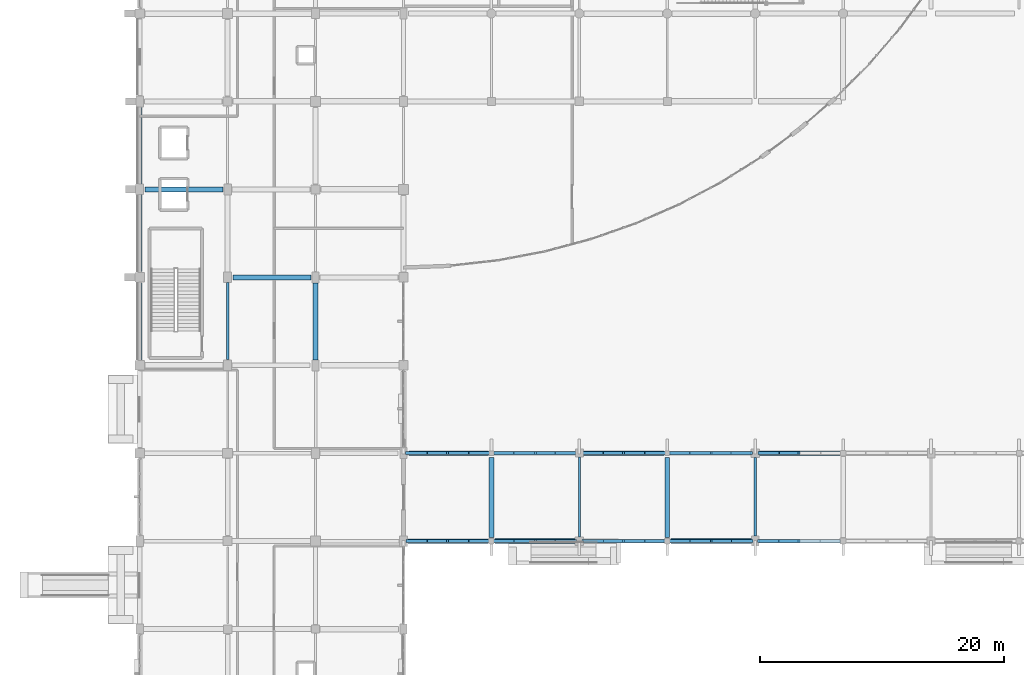
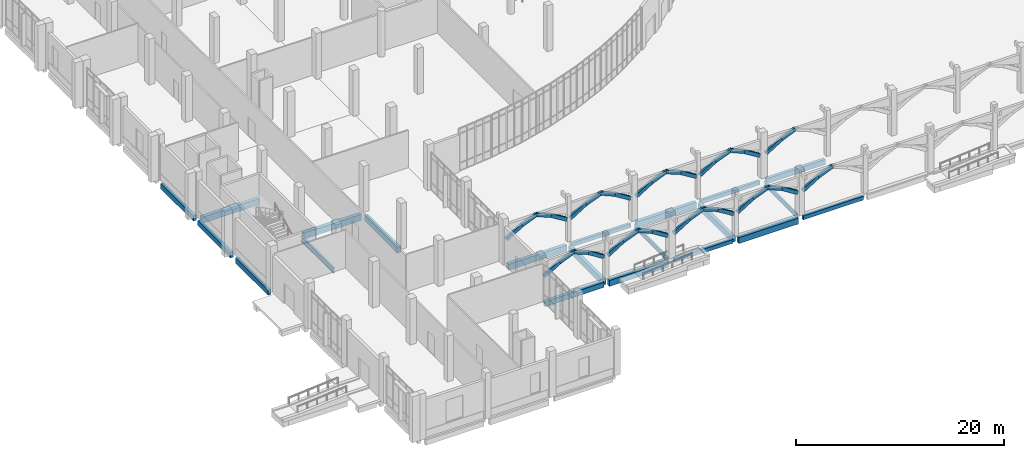
# One storey, part 18 of 110: 36 members, 21 beams.
"""IFC4 building model written with IfcOpenShell, lengths in metres."""

from ifc_helpers import new_model, si_unit, direction, frame, origin, origin_2d, place, context, subcontext, project, spatial, rectangle, i_section, extrude, material, material_profile, profile_set, type_object, element, save


model = new_model("IFC4")

# Units and contexts
model_context = context("Model", 3, precision=1e-05, world=origin(), true_north=direction((0.0, 1.0)))
body_context = subcontext(model_context, "Body", "Model", "MODEL_VIEW")
ifc_project = project(units=[si_unit("LENGTHUNIT", "METRE"), si_unit("AREAUNIT", "SQUARE_METRE"), si_unit("VOLUMEUNIT", "CUBIC_METRE"), si_unit("PLANEANGLEUNIT", "RADIAN"), si_unit("MASSUNIT", "GRAM", prefix="KILO")], contexts=[model_context])

# Site, building, storey
site_placement = place(None, origin())
site = spatial("IfcSite", under=ifc_project, at=site_placement, CompositionType="ELEMENT")
building_placement = place(site_placement, origin())
building = spatial("IfcBuilding", under=site, at=building_placement, Name="Kalluvel Institute of Natural Sciences", CompositionType="ELEMENT")
storey_placement = place(building_placement, origin())
storey = spatial("IfcBuildingStorey", under=building, at=storey_placement, Name="L00", CompositionType="ELEMENT", Elevation=0.0)

# Beams
ifc_material_1 = material(Name="Steel E350 Grade 350", Category="steel")
ifc_material_profile_1 = material_profile(ifc_material_1, i_section(OverallWidth=0.179931640625, OverallDepth=0.5, WebThickness=0.01025390625, FlangeThickness=0.01708984375, FilletRadius=0.01708984375, at=origin_2d()), Name="ISMB 500")
ifc_profile_set_1 = profile_set([ifc_material_profile_1], Name="Steel E350 Grade 350")
beam_type_1 = type_object("IfcBeamType", Name="BM-ISMB500", PredefinedType="BEAM", material=ifc_profile_set_1)
beam_1_placement = place(storey_placement, frame((50.0, 28.75, -0.570068359375), z_axis=(0.0, 1.0, 0.0), x_axis=(-1.0, 0.0, 0.0)))
element("IfcBeam", 1, at=beam_1_placement, inside=storey, type_object=beam_type_1, Name="L00 girder GIR-L00-NS-X500-Y284", PredefinedType="BEAM", context=body_context, shape_type="SweptSolid", body=[
    extrude(i_section(OverallWidth=0.179931640625, OverallDepth=0.5, WebThickness=0.01025390625, FlangeThickness=0.01708984375, FilletRadius=0.01708984375, at=origin_2d()), origin(), (0.0, 0.0, 1.0), 6.52490234375),
])
beam_2_placement = place(storey_placement, frame((64.39990234375, 28.800048828125, -0.570068359375), z_axis=(0.0, 1.0, 0.0), x_axis=(-1.0, 0.0, 0.0)))
element("IfcBeam", 2, at=beam_2_placement, inside=storey, type_object=beam_type_1, Name="L00 girder GIR-L00-NS-X644-Y284", PredefinedType="BEAM", context=body_context, shape_type="SweptSolid", body=[
    extrude(i_section(OverallWidth=0.179931640625, OverallDepth=0.5, WebThickness=0.01025390625, FlangeThickness=0.01708984375, FilletRadius=0.01708984375, at=origin_2d()), origin(), (0.0, 0.0, 1.0), 6.449951171875),
])
ifc_material_profile_2 = material_profile(ifc_material_1, i_section(OverallWidth=0.2099609375, OverallDepth=0.60009765625, WebThickness=0.011962890625, FlangeThickness=0.020751953125, FilletRadius=0.02001953125, at=origin_2d()), Name="ISMB 600")
ifc_profile_set_2 = profile_set([ifc_material_profile_2], Name="Steel E350 Grade 350")
beam_type_2 = type_object("IfcBeamType", Name="BM-ISMB600", PredefinedType="BEAM", material=ifc_profile_set_2)
beam_3_placement = place(storey_placement, frame((21.199951171875, 43.27490234375, -0.6201171875), z_axis=(0.0, 1.0, 0.0), x_axis=(-1.0, 0.0, 0.0)))
element("IfcBeam", 3, at=beam_3_placement, inside=storey, type_object=beam_type_2, Name="L00 girder GIR-L00-NS-X212-Y428", PredefinedType="BEAM", context=body_context, shape_type="SweptSolid", body=[
    extrude(i_section(OverallWidth=0.2099609375, OverallDepth=0.60009765625, WebThickness=0.011962890625, FlangeThickness=0.020751953125, FilletRadius=0.02001953125, at=origin_2d()), origin(), (0.0, 0.0, 1.0), 6.300048828125),
])
ifc_material_2 = material(Name="Concrete M40", Category="concrete")
ifc_material_profile_3 = material_profile(ifc_material_2, rectangle(XDim=0.39990234375, YDim=0.699951171875, at=origin_2d()), Name="RCB 400x700")
ifc_profile_set_3 = profile_set([ifc_material_profile_3], Name="Concrete M40")
beam_type_3 = type_object("IfcBeamType", Name="BM-RC400x700", PredefinedType="BEAM", material=ifc_profile_set_3)
beam_4_placement = place(storey_placement, frame((28.39990234375, 43.25, -0.669921875), z_axis=(0.0, 1.0, 0.0), x_axis=(-1.0, 0.0, 0.0)))
element("IfcBeam", 4, at=beam_4_placement, inside=storey, type_object=beam_type_3, Name="L00 girder GIR-L00-NS-X284-Y428", PredefinedType="BEAM", context=body_context, shape_type="SweptSolid", body=[
    extrude(rectangle(XDim=0.39990234375, YDim=0.699951171875, at=origin_2d()), origin(), (0.0, 0.0, 1.0), 6.27490234375),
])
for number, where, z_axis, x_axis, name in (
    (5, (42.800048828125, 28.699951171875, -0.669921875), (0.0, 1.0, 0.0), (-1.0, 0.0, 0.0), "L00 girder GIR-L00-NS-X428-Y284"),
    (6, (57.199951171875, 28.699951171875, -0.669921875), (0.0, 1.0, 0.0), (-1.0, 0.0, 0.0), "L00 girder GIR-L00-NS-X572-Y284"),
):
    element("IfcBeam", number, at=place(storey_placement, frame(where, z_axis=z_axis, x_axis=x_axis)), inside=storey, type_object=beam_type_3, Name=name, PredefinedType="BEAM", context=body_context, shape_type="SweptSolid", body=[
        extrude(rectangle(XDim=0.39990234375, YDim=0.699951171875, at=origin_2d()), origin(), (0.0, 0.0, 1.0), 6.550048828125),
    ])
ifc_material_profile_4 = material_profile(ifc_material_2, rectangle(XDim=0.419921875, YDim=0.719970703125, at=origin_2d()), Name="RCB 420x720")
ifc_profile_set_4 = profile_set([ifc_material_profile_4], Name="Concrete M40")
beam_type_4 = type_object("IfcBeamType", Name="BM-RC420x720", PredefinedType="BEAM", material=ifc_profile_set_4)
for number, where, z_axis, x_axis, name in (
    (7, (21.625, 50.0, -0.679931640625), (1.0, 0.0, 0.0), (0.0, 1.0, 0.0), "L00 girder GIR-L00-EW-X212-Y500"),
    (8, (14.425048828125, 57.199951171875, -0.679931640625), (1.0, 0.0, 0.0), (0.0, 1.0, 0.0), "L00 girder GIR-L00-EW-X140-Y572"),
):
    element("IfcBeam", number, at=place(storey_placement, frame(where, z_axis=z_axis, x_axis=x_axis)), inside=storey, type_object=beam_type_4, Name=name, PredefinedType="BEAM", context=body_context, shape_type="SweptSolid", body=[
        extrude(rectangle(XDim=0.419921875, YDim=0.719970703125, at=origin_2d()), origin(), (0.0, 0.0, 1.0), 6.39990234375),
    ])

# Members
ifc_material_3 = material(Name="Sadarahalli Granite Precast Concrete M45", Category="masonry")
ifc_material_profile_5 = material_profile(ifc_material_3, rectangle(XDim=0.25, YDim=0.39990234375, at=origin_2d()), Name="RCB 250x400")
ifc_profile_set_5 = profile_set([ifc_material_profile_5], Name="Sadarahalli Granite Precast Concrete M45")
member_type = type_object("IfcMemberType", Name="MB-CL-ARCH250", PredefinedType="USERDEFINED", material=ifc_profile_set_5)
member_1_placement = place(storey_placement, frame((35.885009765625, 35.60009765625, 2.60009765625), z_axis=(0.850993108665, 0.0, 0.525176854978), x_axis=(0.0, 1.0, 0.0)))
element("IfcMember", 9, at=member_1_placement, inside=storey, type_object=member_type, Name="Gothic cloister pointed-lancet arch segment 1", ObjectType="ARCH_SEGMENT", PredefinedType="USERDEFINED", context=body_context, shape_type="SweptSolid", body=[
    extrude(rectangle(XDim=0.25, YDim=0.39990234375, at=origin_2d()), origin(), (0.0, 0.0, 1.0), 2.05615234375),
])
member_2_placement = place(storey_placement, frame((37.634765625, 35.60009765625, 3.679931640625), z_axis=(0.921397131624, 0.0, 0.388622343458), x_axis=(0.0, 1.0, 0.0)))
element("IfcMember", 10, at=member_2_placement, inside=storey, type_object=member_type, Name="Gothic cloister pointed-lancet arch segment 2", ObjectType="ARCH_SEGMENT", PredefinedType="USERDEFINED", context=body_context, shape_type="SweptSolid", body=[
    extrude(rectangle(XDim=0.25, YDim=0.39990234375, at=origin_2d()), origin(), (0.0, 0.0, 1.0), 1.69873046875),
])
member_3_placement = place(storey_placement, frame((39.199951171875, 35.60009765625, 4.340087890625), z_axis=(0.929618962432, 0.0, -0.368522163087), x_axis=(0.0, 1.0, 0.0)))
element("IfcMember", 11, at=member_3_placement, inside=storey, type_object=member_type, Name="Gothic cloister pointed-lancet arch segment 3", ObjectType="ARCH_SEGMENT", PredefinedType="USERDEFINED", context=body_context, shape_type="SweptSolid", body=[
    extrude(rectangle(XDim=0.25, YDim=0.39990234375, at=origin_2d()), origin(), (0.0, 0.0, 1.0), 1.791259765625),
])
member_4_placement = place(storey_placement, frame((40.865234375, 35.60009765625, 3.679931640625), z_axis=(0.850993108665, 0.0, -0.525176854978), x_axis=(0.0, 1.0, 0.0)))
element("IfcMember", 12, at=member_4_placement, inside=storey, type_object=member_type, Name="Gothic cloister pointed-lancet arch segment 4", ObjectType="ARCH_SEGMENT", PredefinedType="USERDEFINED", context=body_context, shape_type="SweptSolid", body=[
    extrude(rectangle(XDim=0.25, YDim=0.39990234375, at=origin_2d()), origin(), (0.0, 0.0, 1.0), 2.05615234375),
])
member_5_placement = place(storey_placement, frame((35.909912109375, 28.39990234375, 2.60009765625), z_axis=(0.849243371065, 0.0, 0.528001606722), x_axis=(0.0, 1.0, 0.0)))
element("IfcMember", 13, at=member_5_placement, inside=storey, type_object=member_type, Name="Gothic cloister pointed-lancet arch segment 5", ObjectType="ARCH_SEGMENT", PredefinedType="USERDEFINED", context=body_context, shape_type="SweptSolid", body=[
    extrude(rectangle(XDim=0.25, YDim=0.39990234375, at=origin_2d()), origin(), (0.0, 0.0, 1.0), 2.045166015625),
])
member_6_placement = place(storey_placement, frame((37.646728515625, 28.39990234375, 3.679931640625), z_axis=(0.920323107127, 0.0, 0.391159019439), x_axis=(0.0, 1.0, 0.0)))
element("IfcMember", 14, at=member_6_placement, inside=storey, type_object=member_type, Name="Gothic cloister pointed-lancet arch segment 6", ObjectType="ARCH_SEGMENT", PredefinedType="USERDEFINED", context=body_context, shape_type="SweptSolid", body=[
    extrude(rectangle(XDim=0.25, YDim=0.39990234375, at=origin_2d()), origin(), (0.0, 0.0, 1.0), 1.687744140625),
])
member_7_placement = place(storey_placement, frame((39.199951171875, 28.39990234375, 4.340087890625), z_axis=(0.92870350572, 0.0, -0.370823136365), x_axis=(0.0, 1.0, 0.0)))
element("IfcMember", 15, at=member_7_placement, inside=storey, type_object=member_type, Name="Gothic cloister pointed-lancet arch segment 7", ObjectType="ARCH_SEGMENT", PredefinedType="USERDEFINED", context=body_context, shape_type="SweptSolid", body=[
    extrude(rectangle(XDim=0.25, YDim=0.39990234375, at=origin_2d()), origin(), (0.0, 0.0, 1.0), 1.7802734375),
])
member_8_placement = place(storey_placement, frame((40.853271484375, 28.39990234375, 3.679931640625), z_axis=(0.849243371065, 0.0, -0.528001606722), x_axis=(0.0, 1.0, 0.0)))
element("IfcMember", 16, at=member_8_placement, inside=storey, type_object=member_type, Name="Gothic cloister pointed-lancet arch segment 8", ObjectType="ARCH_SEGMENT", PredefinedType="USERDEFINED", context=body_context, shape_type="SweptSolid", body=[
    extrude(rectangle(XDim=0.25, YDim=0.39990234375, at=origin_2d()), origin(), (0.0, 0.0, 1.0), 2.045166015625),
])
member_9_placement = place(storey_placement, frame((42.985107421875, 35.60009765625, 2.60009765625), z_axis=(0.850105251618, 0.0, 0.526612819035), x_axis=(0.0, 1.0, 0.0)))
element("IfcMember", 17, at=member_9_placement, inside=storey, type_object=member_type, Name="Gothic cloister pointed-lancet arch segment 9", ObjectType="ARCH_SEGMENT", PredefinedType="USERDEFINED", context=body_context, shape_type="SweptSolid", body=[
    extrude(rectangle(XDim=0.25, YDim=0.39990234375, at=origin_2d()), origin(), (0.0, 0.0, 1.0), 2.050537109375),
])
member_10_placement = place(storey_placement, frame((44.728271484375, 35.60009765625, 3.679931640625), z_axis=(0.930097829902, 0.0, 0.3673118931), x_axis=(0.0, 1.0, 0.0)))
element("IfcMember", 18, at=member_10_placement, inside=storey, type_object=member_type, Name="Gothic cloister pointed-lancet arch segment 10", ObjectType="ARCH_SEGMENT", PredefinedType="USERDEFINED", context=body_context, shape_type="SweptSolid", body=[
    extrude(rectangle(XDim=0.25, YDim=0.39990234375, at=origin_2d()), origin(), (0.0, 0.0, 1.0), 1.79736328125),
])
member_11_placement = place(storey_placement, frame((46.39990234375, 35.60009765625, 4.340087890625), z_axis=(0.919744630598, 0.0, -0.39251727922), x_axis=(0.0, 1.0, 0.0)))
element("IfcMember", 19, at=member_11_placement, inside=storey, type_object=member_type, Name="Gothic cloister pointed-lancet arch segment 11", ObjectType="ARCH_SEGMENT", PredefinedType="USERDEFINED", context=body_context, shape_type="SweptSolid", body=[
    extrude(rectangle(XDim=0.25, YDim=0.39990234375, at=origin_2d()), origin(), (0.0, 0.0, 1.0), 1.681884765625),
])
member_12_placement = place(storey_placement, frame((47.94677734375, 35.60009765625, 3.679931640625), z_axis=(0.850105251618, 0.0, -0.526612819035), x_axis=(0.0, 1.0, 0.0)))
element("IfcMember", 20, at=member_12_placement, inside=storey, type_object=member_type, Name="Gothic cloister pointed-lancet arch segment 12", ObjectType="ARCH_SEGMENT", PredefinedType="USERDEFINED", context=body_context, shape_type="SweptSolid", body=[
    extrude(rectangle(XDim=0.25, YDim=0.39990234375, at=origin_2d()), origin(), (0.0, 0.0, 1.0), 2.050537109375),
])
member_13_placement = place(storey_placement, frame((43.010009765625, 28.39990234375, 2.60009765625), z_axis=(0.848341098121, 0.0, 0.52945007436), x_axis=(0.0, 1.0, 0.0)))
element("IfcMember", 21, at=member_13_placement, inside=storey, type_object=member_type, Name="Gothic cloister pointed-lancet arch segment 13", ObjectType="ARCH_SEGMENT", PredefinedType="USERDEFINED", context=body_context, shape_type="SweptSolid", body=[
    extrude(rectangle(XDim=0.25, YDim=0.39990234375, at=origin_2d()), origin(), (0.0, 0.0, 1.0), 2.03955078125),
])
member_14_placement = place(storey_placement, frame((44.740234375, 28.39990234375, 3.679931640625), z_axis=(0.929191386523, 0.0, 0.369598927502), x_axis=(0.0, 1.0, 0.0)))
element("IfcMember", 22, at=member_14_placement, inside=storey, type_object=member_type, Name="Gothic cloister pointed-lancet arch segment 14", ObjectType="ARCH_SEGMENT", PredefinedType="USERDEFINED", context=body_context, shape_type="SweptSolid", body=[
    extrude(rectangle(XDim=0.25, YDim=0.39990234375, at=origin_2d()), origin(), (0.0, 0.0, 1.0), 1.7861328125),
])
member_15_placement = place(storey_placement, frame((46.39990234375, 28.39990234375, 4.340087890625), z_axis=(0.918637899446, 0.0, -0.395100505822), x_axis=(0.0, 1.0, 0.0)))
element("IfcMember", 23, at=member_15_placement, inside=storey, type_object=member_type, Name="Gothic cloister pointed-lancet arch segment 15", ObjectType="ARCH_SEGMENT", PredefinedType="USERDEFINED", context=body_context, shape_type="SweptSolid", body=[
    extrude(rectangle(XDim=0.25, YDim=0.39990234375, at=origin_2d()), origin(), (0.0, 0.0, 1.0), 1.6708984375),
])
member_16_placement = place(storey_placement, frame((47.934814453125, 28.39990234375, 3.679931640625), z_axis=(0.848341098121, 0.0, -0.52945007436), x_axis=(0.0, 1.0, 0.0)))
element("IfcMember", 24, at=member_16_placement, inside=storey, type_object=member_type, Name="Gothic cloister pointed-lancet arch segment 16", ObjectType="ARCH_SEGMENT", PredefinedType="USERDEFINED", context=body_context, shape_type="SweptSolid", body=[
    extrude(rectangle(XDim=0.25, YDim=0.39990234375, at=origin_2d()), origin(), (0.0, 0.0, 1.0), 2.03955078125),
])
member_17_placement = place(storey_placement, frame((50.31005859375, 35.60009765625, 2.60009765625), z_axis=(0.850105251618, 0.0, 0.526612819035), x_axis=(0.0, 1.0, 0.0)))
element("IfcMember", 25, at=member_17_placement, inside=storey, type_object=member_type, Name="Gothic cloister pointed-lancet arch segment 17", ObjectType="ARCH_SEGMENT", PredefinedType="USERDEFINED", context=body_context, shape_type="SweptSolid", body=[
    extrude(rectangle(XDim=0.25, YDim=0.39990234375, at=origin_2d()), origin(), (0.0, 0.0, 1.0), 2.050537109375),
])
member_18_placement = place(storey_placement, frame((52.05322265625, 35.60009765625, 3.679931640625), z_axis=(0.919744630598, 0.0, 0.39251727922), x_axis=(0.0, 1.0, 0.0)))
element("IfcMember", 26, at=member_18_placement, inside=storey, type_object=member_type, Name="Gothic cloister pointed-lancet arch segment 18", ObjectType="ARCH_SEGMENT", PredefinedType="USERDEFINED", context=body_context, shape_type="SweptSolid", body=[
    extrude(rectangle(XDim=0.25, YDim=0.39990234375, at=origin_2d()), origin(), (0.0, 0.0, 1.0), 1.681884765625),
])
member_19_placement = place(storey_placement, frame((53.60009765625, 35.60009765625, 4.340087890625), z_axis=(0.930097829902, 0.0, -0.3673118931), x_axis=(0.0, 1.0, 0.0)))
element("IfcMember", 27, at=member_19_placement, inside=storey, type_object=member_type, Name="Gothic cloister pointed-lancet arch segment 19", ObjectType="ARCH_SEGMENT", PredefinedType="USERDEFINED", context=body_context, shape_type="SweptSolid", body=[
    extrude(rectangle(XDim=0.25, YDim=0.39990234375, at=origin_2d()), origin(), (0.0, 0.0, 1.0), 1.79736328125),
])
member_20_placement = place(storey_placement, frame((55.271728515625, 35.60009765625, 3.679931640625), z_axis=(0.850105251618, 0.0, -0.526612819035), x_axis=(0.0, 1.0, 0.0)))
element("IfcMember", 28, at=member_20_placement, inside=storey, type_object=member_type, Name="Gothic cloister pointed-lancet arch segment 20", ObjectType="ARCH_SEGMENT", PredefinedType="USERDEFINED", context=body_context, shape_type="SweptSolid", body=[
    extrude(rectangle(XDim=0.25, YDim=0.39990234375, at=origin_2d()), origin(), (0.0, 0.0, 1.0), 2.050537109375),
])
member_21_placement = place(storey_placement, frame((50.3349609375, 28.39990234375, 2.60009765625), z_axis=(0.848341098121, 0.0, 0.52945007436), x_axis=(0.0, 1.0, 0.0)))
element("IfcMember", 29, at=member_21_placement, inside=storey, type_object=member_type, Name="Gothic cloister pointed-lancet arch segment 21", ObjectType="ARCH_SEGMENT", PredefinedType="USERDEFINED", context=body_context, shape_type="SweptSolid", body=[
    extrude(rectangle(XDim=0.25, YDim=0.39990234375, at=origin_2d()), origin(), (0.0, 0.0, 1.0), 2.03955078125),
])
member_22_placement = place(storey_placement, frame((52.065185546875, 28.39990234375, 3.679931640625), z_axis=(0.918637899446, 0.0, 0.395100505822), x_axis=(0.0, 1.0, 0.0)))
element("IfcMember", 30, at=member_22_placement, inside=storey, type_object=member_type, Name="Gothic cloister pointed-lancet arch segment 22", ObjectType="ARCH_SEGMENT", PredefinedType="USERDEFINED", context=body_context, shape_type="SweptSolid", body=[
    extrude(rectangle(XDim=0.25, YDim=0.39990234375, at=origin_2d()), origin(), (0.0, 0.0, 1.0), 1.6708984375),
])
member_23_placement = place(storey_placement, frame((53.60009765625, 28.39990234375, 4.340087890625), z_axis=(0.929191386523, 0.0, -0.369598927502), x_axis=(0.0, 1.0, 0.0)))
element("IfcMember", 31, at=member_23_placement, inside=storey, type_object=member_type, Name="Gothic cloister pointed-lancet arch segment 23", ObjectType="ARCH_SEGMENT", PredefinedType="USERDEFINED", context=body_context, shape_type="SweptSolid", body=[
    extrude(rectangle(XDim=0.25, YDim=0.39990234375, at=origin_2d()), origin(), (0.0, 0.0, 1.0), 1.7861328125),
])
member_24_placement = place(storey_placement, frame((55.259765625, 28.39990234375, 3.679931640625), z_axis=(0.848341098121, 0.0, -0.52945007436), x_axis=(0.0, 1.0, 0.0)))
element("IfcMember", 32, at=member_24_placement, inside=storey, type_object=member_type, Name="Gothic cloister pointed-lancet arch segment 24", ObjectType="ARCH_SEGMENT", PredefinedType="USERDEFINED", context=body_context, shape_type="SweptSolid", body=[
    extrude(rectangle(XDim=0.25, YDim=0.39990234375, at=origin_2d()), origin(), (0.0, 0.0, 1.0), 2.03955078125),
])
member_25_placement = place(storey_placement, frame((57.385009765625, 35.60009765625, 2.60009765625), z_axis=(0.849243371065, 0.0, 0.528001606722), x_axis=(0.0, 1.0, 0.0)))
element("IfcMember", 33, at=member_25_placement, inside=storey, type_object=member_type, Name="Gothic cloister pointed-lancet arch segment 25", ObjectType="ARCH_SEGMENT", PredefinedType="USERDEFINED", context=body_context, shape_type="SweptSolid", body=[
    extrude(rectangle(XDim=0.25, YDim=0.39990234375, at=origin_2d()), origin(), (0.0, 0.0, 1.0), 2.045166015625),
])
member_26_placement = place(storey_placement, frame((59.121826171875, 35.60009765625, 3.679931640625), z_axis=(0.930590145733, 0.0, 0.366062809727), x_axis=(0.0, 1.0, 0.0)))
element("IfcMember", 34, at=member_26_placement, inside=storey, type_object=member_type, Name="Gothic cloister pointed-lancet arch segment 26", ObjectType="ARCH_SEGMENT", PredefinedType="USERDEFINED", context=body_context, shape_type="SweptSolid", body=[
    extrude(rectangle(XDim=0.25, YDim=0.39990234375, at=origin_2d()), origin(), (0.0, 0.0, 1.0), 1.803466796875),
])
member_27_placement = place(storey_placement, frame((60.800048828125, 35.60009765625, 4.340087890625), z_axis=(0.917995615168, 0.0, -0.39659053258), x_axis=(0.0, 1.0, 0.0)))
element("IfcMember", 35, at=member_27_placement, inside=storey, type_object=member_type, Name="Gothic cloister pointed-lancet arch segment 27", ObjectType="ARCH_SEGMENT", PredefinedType="USERDEFINED", context=body_context, shape_type="SweptSolid", body=[
    extrude(rectangle(XDim=0.25, YDim=0.39990234375, at=origin_2d()), origin(), (0.0, 0.0, 1.0), 1.66455078125),
])
member_28_placement = place(storey_placement, frame((62.328125, 35.60009765625, 3.679931640625), z_axis=(0.849243371065, 0.0, -0.528001606722), x_axis=(0.0, 1.0, 0.0)))
element("IfcMember", 36, at=member_28_placement, inside=storey, type_object=member_type, Name="Gothic cloister pointed-lancet arch segment 28", ObjectType="ARCH_SEGMENT", PredefinedType="USERDEFINED", context=body_context, shape_type="SweptSolid", body=[
    extrude(rectangle(XDim=0.25, YDim=0.39990234375, at=origin_2d()), origin(), (0.0, 0.0, 1.0), 2.045166015625),
])
member_29_placement = place(storey_placement, frame((57.409912109375, 28.39990234375, 2.60009765625), z_axis=(0.850138265106, 0.0, 0.526559521994), x_axis=(0.0, 1.0, 0.0)))
element("IfcMember", 37, at=member_29_placement, inside=storey, type_object=member_type, Name="Gothic cloister pointed-lancet arch segment 29", ObjectType="ARCH_SEGMENT", PredefinedType="USERDEFINED", context=body_context, shape_type="SweptSolid", body=[
    extrude(rectangle(XDim=0.25, YDim=0.39990234375, at=origin_2d()), origin(), (0.0, 0.0, 1.0), 2.05078125),
])
member_30_placement = place(storey_placement, frame((59.1533203125, 28.39990234375, 3.679931640625), z_axis=(0.928191703949, 0.0, 0.37210235248), x_axis=(0.0, 1.0, 0.0)))
element("IfcMember", 38, at=member_30_placement, inside=storey, type_object=member_type, Name="Gothic cloister pointed-lancet arch segment 30", ObjectType="ARCH_SEGMENT", PredefinedType="USERDEFINED", context=body_context, shape_type="SweptSolid", body=[
    extrude(rectangle(XDim=0.25, YDim=0.39990234375, at=origin_2d()), origin(), (0.0, 0.0, 1.0), 1.774169921875),
])
member_31_placement = place(storey_placement, frame((60.800048828125, 28.39990234375, 4.340087890625), z_axis=(0.921958581594, 0.0, -0.387288489146), x_axis=(0.0, 1.0, 0.0)))
element("IfcMember", 39, at=member_31_placement, inside=storey, type_object=member_type, Name="Gothic cloister pointed-lancet arch segment 31", ObjectType="ARCH_SEGMENT", PredefinedType="USERDEFINED", context=body_context, shape_type="SweptSolid", body=[
    extrude(rectangle(XDim=0.25, YDim=0.39990234375, at=origin_2d()), origin(), (0.0, 0.0, 1.0), 1.70458984375),
])
member_32_placement = place(storey_placement, frame((62.37158203125, 28.39990234375, 3.679931640625), z_axis=(0.850138265106, 0.0, -0.526559521994), x_axis=(0.0, 1.0, 0.0)))
element("IfcMember", 40, at=member_32_placement, inside=storey, type_object=member_type, Name="Gothic cloister pointed-lancet arch segment 32", ObjectType="ARCH_SEGMENT", PredefinedType="USERDEFINED", context=body_context, shape_type="SweptSolid", body=[
    extrude(rectangle(XDim=0.25, YDim=0.39990234375, at=origin_2d()), origin(), (0.0, 0.0, 1.0), 2.05078125),
])
member_33_placement = place(storey_placement, frame((64.735107421875, 35.60009765625, 2.60009765625), z_axis=(0.848341098121, 0.0, 0.52945007436), x_axis=(0.0, 1.0, 0.0)))
element("IfcMember", 41, at=member_33_placement, inside=storey, type_object=member_type, Name="Gothic cloister pointed-lancet arch segment 33", ObjectType="ARCH_SEGMENT", PredefinedType="USERDEFINED", context=body_context, shape_type="SweptSolid", body=[
    extrude(rectangle(XDim=0.25, YDim=0.39990234375, at=origin_2d()), origin(), (0.0, 0.0, 1.0), 2.03955078125),
])
member_34_placement = place(storey_placement, frame((66.46533203125, 35.60009765625, 3.679931640625), z_axis=(0.918615085337, 0.0, 0.395153546095), x_axis=(0.0, 1.0, 0.0)))
element("IfcMember", 42, at=member_34_placement, inside=storey, type_object=member_type, Name="Gothic cloister pointed-lancet arch segment 34", ObjectType="ARCH_SEGMENT", PredefinedType="USERDEFINED", context=body_context, shape_type="SweptSolid", body=[
    extrude(rectangle(XDim=0.25, YDim=0.39990234375, at=origin_2d()), origin(), (0.0, 0.0, 1.0), 1.670654296875),
])
member_35_placement = place(storey_placement, frame((64.68505859375, 28.39990234375, 2.60009765625), z_axis=(0.849243371065, 0.0, 0.528001606722), x_axis=(0.0, 1.0, 0.0)))
element("IfcMember", 43, at=member_35_placement, inside=storey, type_object=member_type, Name="Gothic cloister pointed-lancet arch segment 37", ObjectType="ARCH_SEGMENT", PredefinedType="USERDEFINED", context=body_context, shape_type="SweptSolid", body=[
    extrude(rectangle(XDim=0.25, YDim=0.39990234375, at=origin_2d()), origin(), (0.0, 0.0, 1.0), 2.045166015625),
])
member_36_placement = place(storey_placement, frame((66.421875, 28.39990234375, 3.679931640625), z_axis=(0.922535537412, 0.0, 0.385912143125), x_axis=(0.0, 1.0, 0.0)))
element("IfcMember", 44, at=member_36_placement, inside=storey, type_object=member_type, Name="Gothic cloister pointed-lancet arch segment 38", ObjectType="ARCH_SEGMENT", PredefinedType="USERDEFINED", context=body_context, shape_type="SweptSolid", body=[
    extrude(rectangle(XDim=0.25, YDim=0.39990234375, at=origin_2d()), origin(), (0.0, 0.0, 1.0), 1.710693359375),
])

# Beams
ifc_material_profile_6 = material_profile(ifc_material_2, rectangle(XDim=0.300048828125, YDim=0.449951171875, at=origin_2d()), Name="RCB 300x450")
ifc_profile_set_6 = profile_set([ifc_material_profile_6], Name="Concrete M40")
beam_type_5 = type_object("IfcBeamType", Name="SP-RC300x450", PredefinedType="SPANDREL", material=ifc_profile_set_6)
beam_5_placement = place(storey_placement, frame((50.35009765625, 28.39990234375, -0.544921875), z_axis=(1.0, 0.0, 0.0), x_axis=(0.0, 1.0, 0.0)))
element("IfcBeam", 45, at=beam_5_placement, inside=storey, type_object=beam_type_5, Name="L00 girder GIR-L00-EW-X500-Y284", PredefinedType="SPANDREL", context=body_context, shape_type="SweptSolid", body=[
    extrude(rectangle(XDim=0.300048828125, YDim=0.449951171875, at=origin_2d()), origin(), (0.0, 0.0, 1.0), 6.5498046875),
])
beam_6_placement = place(storey_placement, frame((64.699951171875, 28.39990234375, -0.544921875), z_axis=(1.0, 0.0, 0.0), x_axis=(0.0, 1.0, 0.0)))
element("IfcBeam", 46, at=beam_6_placement, inside=storey, type_object=beam_type_5, Name="L00 girder GIR-L00-EW-X644-Y284", PredefinedType="SPANDREL", context=body_context, shape_type="SweptSolid", body=[
    extrude(rectangle(XDim=0.300048828125, YDim=0.449951171875, at=origin_2d()), origin(), (0.0, 0.0, 1.0), 6.675048828125),
])
beam_7_placement = place(storey_placement, frame((43.050048828125, 35.60009765625, -0.544921875), z_axis=(1.0, 0.0, 0.0), x_axis=(0.0, 1.0, 0.0)))
element("IfcBeam", 47, at=beam_7_placement, inside=storey, type_object=beam_type_5, Name="L00 girder GIR-L00-EW-X428-Y356", PredefinedType="SPANDREL", context=body_context, shape_type="SweptSolid", body=[
    extrude(rectangle(XDim=0.300048828125, YDim=0.449951171875, at=origin_2d()), origin(), (0.0, 0.0, 1.0), 6.625),
])
beam_8_placement = place(storey_placement, frame((57.449951171875, 35.60009765625, -0.544921875), z_axis=(1.0, 0.0, 0.0), x_axis=(0.0, 1.0, 0.0)))
element("IfcBeam", 48, at=beam_8_placement, inside=storey, type_object=beam_type_5, Name="L00 girder GIR-L00-EW-X572-Y356", PredefinedType="SPANDREL", context=body_context, shape_type="SweptSolid", body=[
    extrude(rectangle(XDim=0.300048828125, YDim=0.449951171875, at=origin_2d()), origin(), (0.0, 0.0, 1.0), 6.60009765625),
])
ifc_material_profile_7 = material_profile(ifc_material_2, rectangle(XDim=0.35009765625, YDim=0.60009765625, at=origin_2d()), Name="RCB 350x600")
ifc_profile_set_7 = profile_set([ifc_material_profile_7], Name="Concrete M40")
beam_type_6 = type_object("IfcBeamType", Name="SP-RC350x600", PredefinedType="SPANDREL", material=ifc_profile_set_7)
beam_9_placement = place(storey_placement, frame((35.97509765625, 28.39990234375, -0.6201171875), z_axis=(1.0, 0.0, 0.0), x_axis=(0.0, 1.0, 0.0)))
element("IfcBeam", 49, at=beam_9_placement, inside=storey, type_object=beam_type_6, Name="L00 girder GIR-L00-EW-X356-Y284", PredefinedType="SPANDREL", context=body_context, shape_type="SweptSolid", body=[
    extrude(rectangle(XDim=0.35009765625, YDim=0.60009765625, at=origin_2d()), origin(), (0.0, 0.0, 1.0), 6.52490234375),
])
beam_10_placement = place(storey_placement, frame((64.75, 35.60009765625, -0.6201171875), z_axis=(1.0, 0.0, 0.0), x_axis=(0.0, 1.0, 0.0)))
element("IfcBeam", 50, at=beam_10_placement, inside=storey, type_object=beam_type_6, Name="L00 girder GIR-L00-EW-X644-Y356", PredefinedType="SPANDREL", context=body_context, shape_type="SweptSolid", body=[
    extrude(rectangle(XDim=0.35009765625, YDim=0.60009765625, at=origin_2d()), origin(), (0.0, 0.0, 1.0), 6.574951171875),
])
for number, where, z_axis, x_axis, name in (
    (51, (14.0, 43.22509765625, -0.6201171875), (0.0, 1.0, 0.0), (-1.0, 0.0, 0.0), "L00 girder GIR-L00-NS-X140-Y428"),
    (52, (14.0, 50.47509765625, -0.6201171875), (0.0, 1.0, 0.0), (-1.0, 0.0, 0.0), "L00 girder GIR-L00-NS-X140-Y500"),
):
    element("IfcBeam", number, at=place(storey_placement, frame(where, z_axis=z_axis, x_axis=x_axis)), inside=storey, type_object=beam_type_6, Name=name, PredefinedType="SPANDREL", context=body_context, shape_type="SweptSolid", body=[
        extrude(rectangle(XDim=0.35009765625, YDim=0.60009765625, at=origin_2d()), origin(), (0.0, 0.0, 1.0), 6.2998046875),
    ])
beam_11_placement = place(storey_placement, frame((14.0, 57.625, -0.6201171875), z_axis=(0.0, 1.0, 0.0), x_axis=(-1.0, 0.0, 0.0)))
element("IfcBeam", 53, at=beam_11_placement, inside=storey, type_object=beam_type_6, Name="L00 girder GIR-L00-NS-X140-Y572", PredefinedType="SPANDREL", context=body_context, shape_type="SweptSolid", body=[
    extrude(rectangle(XDim=0.35009765625, YDim=0.60009765625, at=origin_2d()), origin(), (0.0, 0.0, 1.0), 6.300048828125),
])
ifc_material_profile_8 = material_profile(ifc_material_2, rectangle(XDim=0.39990234375, YDim=0.699951171875, at=origin_2d()), Name="RCB 400x700")
ifc_profile_set_8 = profile_set([ifc_material_profile_8], Name="Concrete M40")
beam_type_7 = type_object("IfcBeamType", Name="SP-RC400x700", PredefinedType="SPANDREL", material=ifc_profile_set_8)
beam_12_placement = place(storey_placement, frame((43.10009765625, 28.39990234375, -0.669921875), z_axis=(1.0, 0.0, 0.0), x_axis=(0.0, 1.0, 0.0)))
element("IfcBeam", 54, at=beam_12_placement, inside=storey, type_object=beam_type_7, Name="L00 girder GIR-L00-EW-X428-Y284", PredefinedType="SPANDREL", context=body_context, shape_type="SweptSolid", body=[
    extrude(rectangle(XDim=0.39990234375, YDim=0.699951171875, at=origin_2d()), origin(), (0.0, 0.0, 1.0), 6.5498046875),
])
beam_13_placement = place(storey_placement, frame((57.5, 28.39990234375, -0.669921875), z_axis=(1.0, 0.0, 0.0), x_axis=(0.0, 1.0, 0.0)))
element("IfcBeam", 55, at=beam_13_placement, inside=storey, type_object=beam_type_7, Name="L00 girder GIR-L00-EW-X572-Y284", PredefinedType="SPANDREL", context=body_context, shape_type="SweptSolid", body=[
    extrude(rectangle(XDim=0.39990234375, YDim=0.699951171875, at=origin_2d()), origin(), (0.0, 0.0, 1.0), 6.60009765625),
])
beam_14_placement = place(storey_placement, frame((36.050048828125, 35.60009765625, -0.669921875), z_axis=(1.0, 0.0, 0.0), x_axis=(0.0, 1.0, 0.0)))
element("IfcBeam", 56, at=beam_14_placement, inside=storey, type_object=beam_type_7, Name="L00 girder GIR-L00-EW-X356-Y356", PredefinedType="SPANDREL", context=body_context, shape_type="SweptSolid", body=[
    extrude(rectangle(XDim=0.39990234375, YDim=0.699951171875, at=origin_2d()), origin(), (0.0, 0.0, 1.0), 6.5),
])
beam_15_placement = place(storey_placement, frame((50.324951171875, 35.60009765625, -0.669921875), z_axis=(1.0, 0.0, 0.0), x_axis=(0.0, 1.0, 0.0)))
element("IfcBeam", 57, at=beam_15_placement, inside=storey, type_object=beam_type_7, Name="L00 girder GIR-L00-EW-X500-Y356", PredefinedType="SPANDREL", context=body_context, shape_type="SweptSolid", body=[
    extrude(rectangle(XDim=0.39990234375, YDim=0.699951171875, at=origin_2d()), origin(), (0.0, 0.0, 1.0), 6.625),
])

save(model, "model.ifc")
